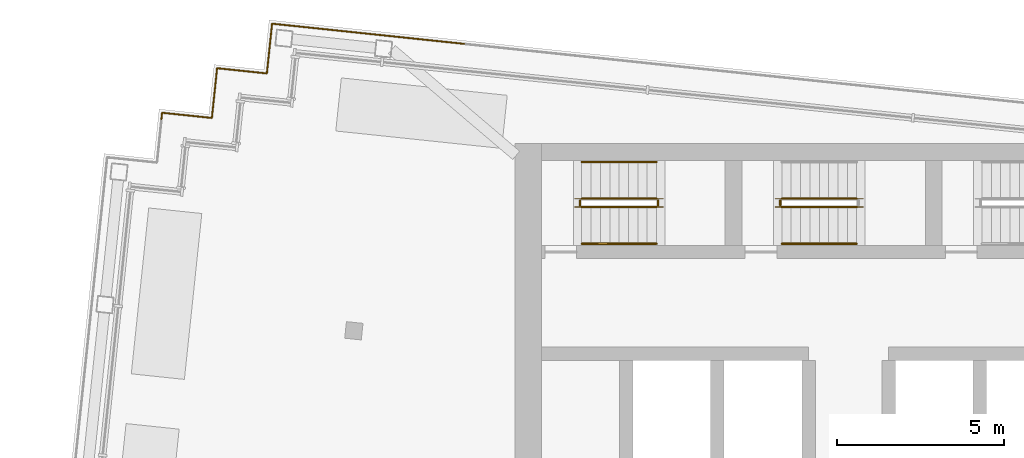
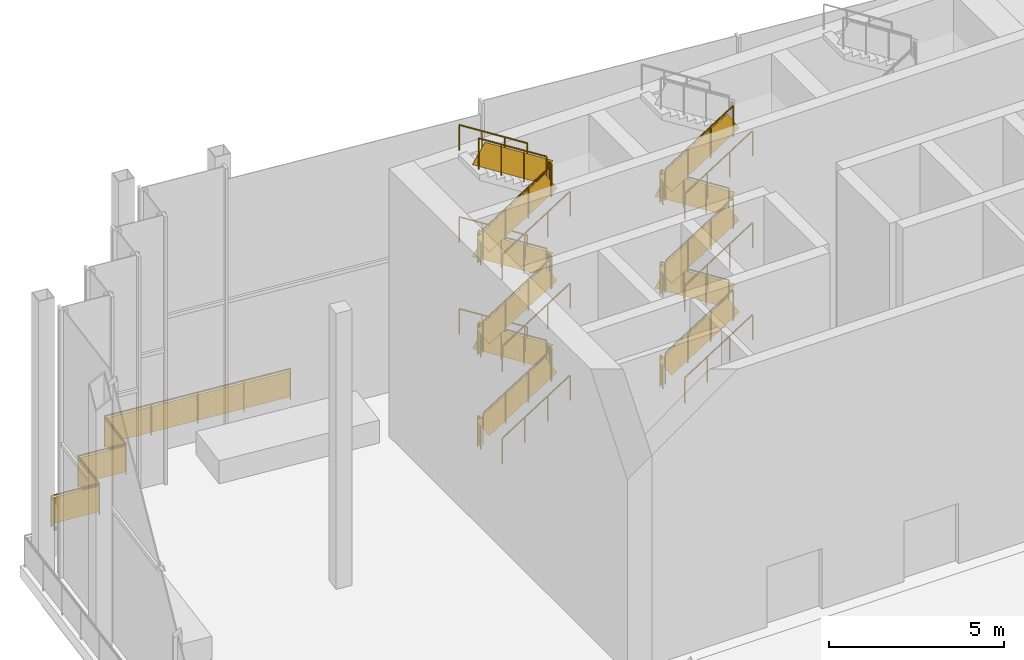
# One storey, part 12 of 14: 30 railings.
"""IFC4 building model written with IfcOpenShell, lengths in metres."""

from ifc_helpers import new_model, si_unit, direction, frame, origin, origin_2d, place, context, subcontext, project, spatial, rectangle, circle, extrude, material, type_object, element, save


model = new_model("IFC4")

# Units and contexts
model_context = context("Model", 3, precision=1e-05, world=origin(), true_north=direction((0.0, 1.0)))
body_context = subcontext(model_context, "Body", "Model", "MODEL_VIEW")
ifc_project = project(units=[si_unit("LENGTHUNIT", "METRE"), si_unit("AREAUNIT", "SQUARE_METRE"), si_unit("VOLUMEUNIT", "CUBIC_METRE"), si_unit("PLANEANGLEUNIT", "RADIAN"), si_unit("MASSUNIT", "GRAM", prefix="KILO")], contexts=[model_context])

# Site, building, storey
site_placement = place(None, origin())
site = spatial("IfcSite", under=ifc_project, at=site_placement, CompositionType="ELEMENT")
building_placement = place(site_placement, origin())
building = spatial("IfcBuilding", under=site, at=building_placement, Name="Vidyagriha Tower", CompositionType="ELEMENT")
storey_placement = place(building_placement, frame((0.0, 0.0, 281.89990234375)))
storey = spatial("IfcBuildingStorey", under=building, at=storey_placement, Name="L74", CompositionType="ELEMENT", Elevation=281.89990234375)

# Railings
ifc_material_1 = material(Name="Steel ASTM A500 Grade C black painted", Category="steel")
railing_type_1 = type_object("IfcRailingType", Name="Gallery guard 1100", PredefinedType="GUARDRAIL", material=ifc_material_1)
railing_1_placement = place(storey_placement, frame((-20.600341796875, 20.727783203125, 0.0)))
element("IfcRailing", 1, at=railing_1_placement, inside=storey, type_object=railing_type_1, Name="Gallery guard L74 9", PredefinedType="GUARDRAIL", context=body_context, shape_type="SweptSolid", body=[
    extrude(circle(Radius=0.02490234375, at=origin_2d()), frame((0.0, 0.0, 1.0751953125), z_axis=(0.10506634941, 0.994465214184, 0.0), x_axis=(-0.994465214184, 0.10506634941, 0.0)), (0.0, 0.0, 1.0), 0.199951171875),
    extrude(circle(Radius=0.02490234375, at=origin_2d()), frame((0.02099609375, 0.19873046875, 1.0751953125), z_axis=(0.994525057048, -0.104498377516, 0.0), x_axis=(0.104498377516, 0.994525057048, 0.0)), (0.0, 0.0, 1.0), 1.5),
    extrude(circle(Radius=0.02490234375, at=origin_2d()), frame((1.5126953125, 0.0419921875, 1.0751953125), z_axis=(0.104498377516, 0.994525057048, 0.0), x_axis=(-0.994525057048, 0.104498377516, 0.0)), (0.0, 0.0, 1.0), 1.5),
    extrude(circle(Radius=0.02490234375, at=origin_2d()), frame((1.66943359375, 1.53369140625, 1.0751953125), z_axis=(0.994525057048, -0.104498377516, 0.0), x_axis=(0.104498377516, 0.994525057048, 0.0)), (0.0, 0.0, 1.0), 1.5),
    extrude(circle(Radius=0.02490234375, at=origin_2d()), frame((3.1611328125, 1.376953125, 1.0751953125), z_axis=(0.104659366031, 0.994508128223, 0.0), x_axis=(-0.994508128223, 0.104659366031, 0.0)), (0.0, 0.0, 1.0), 1.5),
    extrude(circle(Radius=0.02490234375, at=origin_2d()), frame((3.318115234375, 2.86865234375, 1.0751953125), z_axis=(0.994523198252, -0.104516066418, 0.0), x_axis=(0.104516066418, 0.994523198252, 0.0)), (0.0, 0.0, 1.0), 5.800048828125),
    extrude(circle(Radius=0.02001953125, at=origin_2d()), origin(), (0.0, 0.0, 1.0), 1.050048828125),
    extrude(circle(Radius=0.02001953125, at=origin_2d()), frame((0.02099609375, 0.19873046875, 0.0)), (0.0, 0.0, 1.0), 1.050048828125),
    extrude(circle(Radius=0.02001953125, at=origin_2d()), frame((1.5126953125, 0.0419921875, 0.0)), (0.0, 0.0, 1.0), 1.050048828125),
    extrude(circle(Radius=0.02001953125, at=origin_2d()), frame((1.66943359375, 1.53369140625, 0.0)), (0.0, 0.0, 1.0), 1.050048828125),
    extrude(circle(Radius=0.02001953125, at=origin_2d()), frame((3.1611328125, 1.376953125, 0.0)), (0.0, 0.0, 1.0), 1.050048828125),
    extrude(circle(Radius=0.02001953125, at=origin_2d()), frame((3.318115234375, 2.86865234375, 0.0)), (0.0, 0.0, 1.0), 1.050048828125),
    extrude(circle(Radius=0.02001953125, at=origin_2d()), frame((4.76025390625, 2.717041015625, 0.0)), (0.0, 0.0, 1.0), 1.050048828125),
    extrude(circle(Radius=0.02001953125, at=origin_2d()), frame((6.2021484375, 2.5654296875, 0.0)), (0.0, 0.0, 1.0), 1.050048828125),
    extrude(circle(Radius=0.02001953125, at=origin_2d()), frame((7.644287109375, 2.4140625, 0.0)), (0.0, 0.0, 1.0), 1.050048828125),
    extrude(circle(Radius=0.02001953125, at=origin_2d()), frame((9.08642578125, 2.262451171875, 0.0)), (0.0, 0.0, 1.0), 1.050048828125),
    extrude(rectangle(XDim=0.010009765625, YDim=0.900146484375, at=origin_2d()), frame((0.0, 0.0, 0.550048828125), z_axis=(0.10506634941, 0.994465214184, 0.0), x_axis=(-0.994465214184, 0.10506634941, 0.0)), (0.0, 0.0, 1.0), 0.199951171875),
    extrude(rectangle(XDim=0.010009765625, YDim=0.900146484375, at=origin_2d()), frame((0.02099609375, 0.19873046875, 0.550048828125), z_axis=(0.994525057048, -0.104498377516, 0.0), x_axis=(0.104498377516, 0.994525057048, 0.0)), (0.0, 0.0, 1.0), 1.5),
    extrude(rectangle(XDim=0.010009765625, YDim=0.900146484375, at=origin_2d()), frame((1.5126953125, 0.0419921875, 0.550048828125), z_axis=(0.104498377516, 0.994525057048, 0.0), x_axis=(-0.994525057048, 0.104498377516, 0.0)), (0.0, 0.0, 1.0), 1.5),
    extrude(rectangle(XDim=0.010009765625, YDim=0.900146484375, at=origin_2d()), frame((1.66943359375, 1.53369140625, 0.550048828125), z_axis=(0.994525057048, -0.104498377516, 0.0), x_axis=(0.104498377516, 0.994525057048, 0.0)), (0.0, 0.0, 1.0), 1.5),
    extrude(rectangle(XDim=0.010009765625, YDim=0.900146484375, at=origin_2d()), frame((3.1611328125, 1.376953125, 0.550048828125), z_axis=(0.104659366031, 0.994508128223, 0.0), x_axis=(-0.994508128223, 0.104659366031, 0.0)), (0.0, 0.0, 1.0), 1.5),
    extrude(rectangle(XDim=0.010009765625, YDim=0.900146484375, at=origin_2d()), frame((3.318115234375, 2.86865234375, 0.550048828125), z_axis=(0.994523198252, -0.104516066418, 0.0), x_axis=(0.104516066418, 0.994523198252, 0.0)), (0.0, 0.0, 1.0), 5.800048828125),
])
ifc_material_2 = material(Name="Steel ASTM A500 Grade C", Category="steel")
railing_type_2 = type_object("IfcRailingType", Name="Stair guard 1100 mm, steel balustrade", PredefinedType="GUARDRAIL", material=ifc_material_2)
railing_2_placement = place(storey_placement, frame((-8.0, 18.10009765625, 0.177978515625)))
element("IfcRailing", 2, at=railing_2_placement, inside=storey, type_object=railing_type_2, Name="L74 ST1 stair guard 1", PredefinedType="GUARDRAIL", context=body_context, shape_type="SweptSolid", body=[
    extrude(circle(Radius=0.02392578125, at=origin_2d()), frame((0.0, 0.0, 1.076171875), z_axis=(0.8442293374, 0.0, 0.53598211339), x_axis=(0.0, 1.0, 0.0)), (0.0, 0.0, 1.0), 2.6533203125),
    extrude(circle(Radius=0.02099609375, at=origin_2d()), origin(), (0.0, 0.0, 1.0), 1.052001953125),
    extrude(circle(Radius=0.02099609375, at=origin_2d()), frame((0.74658203125, 0.0, 0.47412109375)), (0.0, 0.0, 1.0), 1.052001953125),
    extrude(circle(Radius=0.02099609375, at=origin_2d()), frame((1.493408203125, 0.0, 0.947998046875)), (0.0, 0.0, 1.0), 1.052001953125),
    extrude(circle(Radius=0.02099609375, at=origin_2d()), frame((2.239990234375, 0.0, 1.422119140625)), (0.0, 0.0, 1.0), 1.052001953125),
    extrude(rectangle(XDim=0.010009765625, YDim=0.761474609375, at=origin_2d()), frame((0.0, 0.0, 0.551025390625), z_axis=(0.8442293374, 0.0, 0.53598211339), x_axis=(0.0, 1.0, 0.0)), (0.0, 0.0, 1.0), 2.6533203125),
])
railing_3_placement = place(storey_placement, frame((-5.7099609375, 18.14990234375, 1.60009765625)))
element("IfcRailing", 3, at=railing_3_placement, inside=storey, type_object=railing_type_2, Name="L74 ST1 stair guard 2", PredefinedType="GUARDRAIL", context=body_context, shape_type="SweptSolid", body=[
    extrude(circle(Radius=0.02392578125, at=origin_2d()), frame((0.0, 0.0, 1.076171875), z_axis=(0.0, 1.0, 0.0), x_axis=(-1.0, 0.0, 0.0)), (0.0, 0.0, 1.0), 0.150146484375),
    extrude(circle(Radius=0.02099609375, at=origin_2d()), origin(), (0.0, 0.0, 1.0), 1.052001953125),
    extrude(circle(Radius=0.02099609375, at=origin_2d()), frame((0.0, 0.150146484375, 0.0)), (0.0, 0.0, 1.0), 1.052001953125),
    extrude(rectangle(XDim=0.010009765625, YDim=0.902099609375, at=origin_2d()), frame((0.0, 0.0, 0.551025390625), z_axis=(0.0, 1.0, 0.0), x_axis=(-1.0, 0.0, 0.0)), (0.0, 0.0, 1.0), 0.150146484375),
])
railing_4_placement = place(storey_placement, frame((-5.760009765625, 18.35009765625, 1.77783203125)))
element("IfcRailing", 4, at=railing_4_placement, inside=storey, type_object=railing_type_2, Name="L74 ST1 stair guard 3", PredefinedType="GUARDRAIL", context=body_context, shape_type="SweptSolid", body=[
    extrude(circle(Radius=0.02392578125, at=origin_2d()), frame((0.0, 0.0, 1.076171875), z_axis=(-0.84418770128, 0.0, 0.536047689118), x_axis=(0.0, -1.0, 0.0)), (0.0, 0.0, 1.0), 2.6533203125),
    extrude(circle(Radius=0.02099609375, at=origin_2d()), origin(), (0.0, 0.0, 1.0), 1.052001953125),
    extrude(circle(Radius=0.02099609375, at=origin_2d()), frame((-0.74658203125, 0.0, 0.47412109375)), (0.0, 0.0, 1.0), 1.052001953125),
    extrude(circle(Radius=0.02099609375, at=origin_2d()), frame((-1.493408203125, 0.0, 0.9482421875)), (0.0, 0.0, 1.0), 1.052001953125),
    extrude(circle(Radius=0.02099609375, at=origin_2d()), frame((-2.239990234375, 0.0, 1.42236328125)), (0.0, 0.0, 1.0), 1.052001953125),
    extrude(rectangle(XDim=0.010009765625, YDim=0.761474609375, at=origin_2d()), frame((0.0, 0.0, 0.551025390625), z_axis=(-0.84418770128, 0.0, 0.536047689118), x_axis=(0.0, -1.0, 0.0)), (0.0, 0.0, 1.0), 2.6533203125),
])
railing_5_placement = place(storey_placement, frame((-8.050048828125, 18.14990234375, 3.2001953125)))
element("IfcRailing", 5, at=railing_5_placement, inside=storey, type_object=railing_type_2, Name="L74 ST1 stair guard 4", PredefinedType="GUARDRAIL", context=body_context, shape_type="SweptSolid", body=[
    extrude(circle(Radius=0.02392578125, at=origin_2d()), frame((0.0, 0.0, 1.076171875), z_axis=(0.0, 1.0, 0.0), x_axis=(-1.0, 0.0, 0.0)), (0.0, 0.0, 1.0), 0.150146484375),
    extrude(circle(Radius=0.02099609375, at=origin_2d()), origin(), (0.0, 0.0, 1.0), 1.052001953125),
    extrude(circle(Radius=0.02099609375, at=origin_2d()), frame((0.0, 0.150146484375, 0.0)), (0.0, 0.0, 1.0), 1.052001953125),
    extrude(rectangle(XDim=0.010009765625, YDim=0.902099609375, at=origin_2d()), frame((0.0, 0.0, 0.551025390625), z_axis=(0.0, 1.0, 0.0), x_axis=(-1.0, 0.0, 0.0)), (0.0, 0.0, 1.0), 0.150146484375),
])
railing_6_placement = place(storey_placement, frame((-8.0, 18.10009765625, 3.3779296875)))
element("IfcRailing", 6, at=railing_6_placement, inside=storey, type_object=railing_type_2, Name="L74 ST1 stair guard 5", PredefinedType="GUARDRAIL", context=body_context, shape_type="SweptSolid", body=[
    extrude(circle(Radius=0.02392578125, at=origin_2d()), frame((0.0, 0.0, 1.076171875), z_axis=(0.8442293374, 0.0, 0.53598211339), x_axis=(0.0, 1.0, 0.0)), (0.0, 0.0, 1.0), 2.6533203125),
    extrude(circle(Radius=0.02099609375, at=origin_2d()), origin(), (0.0, 0.0, 1.0), 1.052001953125),
    extrude(circle(Radius=0.02099609375, at=origin_2d()), frame((0.74658203125, 0.0, 0.47412109375)), (0.0, 0.0, 1.0), 1.052001953125),
    extrude(circle(Radius=0.02099609375, at=origin_2d()), frame((1.493408203125, 0.0, 0.947998046875)), (0.0, 0.0, 1.0), 1.052001953125),
    extrude(circle(Radius=0.02099609375, at=origin_2d()), frame((2.239990234375, 0.0, 1.422119140625)), (0.0, 0.0, 1.0), 1.052001953125),
    extrude(rectangle(XDim=0.010009765625, YDim=0.761474609375, at=origin_2d()), frame((0.0, 0.0, 0.551025390625), z_axis=(0.8442293374, 0.0, 0.53598211339), x_axis=(0.0, 1.0, 0.0)), (0.0, 0.0, 1.0), 2.6533203125),
])
railing_7_placement = place(storey_placement, frame((-5.7099609375, 18.14990234375, 4.800048828125)))
element("IfcRailing", 7, at=railing_7_placement, inside=storey, type_object=railing_type_2, Name="L74 ST1 stair guard 6", PredefinedType="GUARDRAIL", context=body_context, shape_type="SweptSolid", body=[
    extrude(circle(Radius=0.02392578125, at=origin_2d()), frame((0.0, 0.0, 1.076171875), z_axis=(0.0, 1.0, 0.0), x_axis=(-1.0, 0.0, 0.0)), (0.0, 0.0, 1.0), 0.150146484375),
    extrude(circle(Radius=0.02099609375, at=origin_2d()), origin(), (0.0, 0.0, 1.0), 1.052001953125),
    extrude(circle(Radius=0.02099609375, at=origin_2d()), frame((0.0, 0.150146484375, 0.0)), (0.0, 0.0, 1.0), 1.052001953125),
    extrude(rectangle(XDim=0.010009765625, YDim=0.902099609375, at=origin_2d()), frame((0.0, 0.0, 0.551025390625), z_axis=(0.0, 1.0, 0.0), x_axis=(-1.0, 0.0, 0.0)), (0.0, 0.0, 1.0), 0.150146484375),
])
railing_8_placement = place(storey_placement, frame((-5.760009765625, 18.35009765625, 4.977783203125)))
element("IfcRailing", 8, at=railing_8_placement, inside=storey, type_object=railing_type_2, Name="L74 ST1 stair guard 7", PredefinedType="GUARDRAIL", context=body_context, shape_type="SweptSolid", body=[
    extrude(circle(Radius=0.02392578125, at=origin_2d()), frame((0.0, 0.0, 1.076171875), z_axis=(-0.84418770128, 0.0, 0.536047689118), x_axis=(0.0, -1.0, 0.0)), (0.0, 0.0, 1.0), 2.6533203125),
    extrude(circle(Radius=0.02099609375, at=origin_2d()), origin(), (0.0, 0.0, 1.0), 1.052001953125),
    extrude(circle(Radius=0.02099609375, at=origin_2d()), frame((-0.74658203125, 0.0, 0.47412109375)), (0.0, 0.0, 1.0), 1.052001953125),
    extrude(circle(Radius=0.02099609375, at=origin_2d()), frame((-1.493408203125, 0.0, 0.9482421875)), (0.0, 0.0, 1.0), 1.052001953125),
    extrude(circle(Radius=0.02099609375, at=origin_2d()), frame((-2.239990234375, 0.0, 1.42236328125)), (0.0, 0.0, 1.0), 1.052001953125),
    extrude(rectangle(XDim=0.010009765625, YDim=0.761474609375, at=origin_2d()), frame((0.0, 0.0, 0.551025390625), z_axis=(-0.84418770128, 0.0, 0.536047689118), x_axis=(0.0, -1.0, 0.0)), (0.0, 0.0, 1.0), 2.6533203125),
])
railing_9_placement = place(storey_placement, frame((-8.050048828125, 18.14990234375, 6.400146484375)))
element("IfcRailing", 9, at=railing_9_placement, inside=storey, type_object=railing_type_2, Name="L74 ST1 stair guard 8", PredefinedType="GUARDRAIL", context=body_context, shape_type="SweptSolid", body=[
    extrude(circle(Radius=0.02392578125, at=origin_2d()), frame((0.0, 0.0, 1.076171875), z_axis=(0.0, 1.0, 0.0), x_axis=(-1.0, 0.0, 0.0)), (0.0, 0.0, 1.0), 0.150146484375),
    extrude(circle(Radius=0.02099609375, at=origin_2d()), origin(), (0.0, 0.0, 1.0), 1.052001953125),
    extrude(circle(Radius=0.02099609375, at=origin_2d()), frame((0.0, 0.150146484375, 0.0)), (0.0, 0.0, 1.0), 1.052001953125),
    extrude(rectangle(XDim=0.010009765625, YDim=0.902099609375, at=origin_2d()), frame((0.0, 0.0, 0.551025390625), z_axis=(0.0, 1.0, 0.0), x_axis=(-1.0, 0.0, 0.0)), (0.0, 0.0, 1.0), 0.150146484375),
])
railing_10_placement = place(storey_placement, frame((-8.0, 18.10009765625, 6.577880859375)))
element("IfcRailing", 10, at=railing_10_placement, inside=storey, type_object=railing_type_2, Name="L74 ST1 stair guard 9", PredefinedType="GUARDRAIL", context=body_context, shape_type="SweptSolid", body=[
    extrude(circle(Radius=0.02392578125, at=origin_2d()), frame((0.0, 0.0, 1.076171875), z_axis=(0.8442293374, 0.0, 0.53598211339), x_axis=(0.0, 1.0, 0.0)), (0.0, 0.0, 1.0), 2.6533203125),
    extrude(circle(Radius=0.02099609375, at=origin_2d()), origin(), (0.0, 0.0, 1.0), 1.052001953125),
    extrude(circle(Radius=0.02099609375, at=origin_2d()), frame((0.74658203125, 0.0, 0.47412109375)), (0.0, 0.0, 1.0), 1.052001953125),
    extrude(circle(Radius=0.02099609375, at=origin_2d()), frame((1.493408203125, 0.0, 0.947998046875)), (0.0, 0.0, 1.0), 1.052001953125),
    extrude(circle(Radius=0.02099609375, at=origin_2d()), frame((2.239990234375, 0.0, 1.422119140625)), (0.0, 0.0, 1.0), 1.052001953125),
    extrude(rectangle(XDim=0.010009765625, YDim=0.761474609375, at=origin_2d()), frame((0.0, 0.0, 0.551025390625), z_axis=(0.8442293374, 0.0, 0.53598211339), x_axis=(0.0, 1.0, 0.0)), (0.0, 0.0, 1.0), 2.6533203125),
])
railing_11_placement = place(storey_placement, frame((-5.7099609375, 18.14990234375, 8.0)))
element("IfcRailing", 11, at=railing_11_placement, inside=storey, type_object=railing_type_2, Name="L74 ST1 stair guard 10", PredefinedType="GUARDRAIL", context=body_context, shape_type="SweptSolid", body=[
    extrude(circle(Radius=0.02392578125, at=origin_2d()), frame((0.0, 0.0, 1.076171875), z_axis=(0.0, 1.0, 0.0), x_axis=(-1.0, 0.0, 0.0)), (0.0, 0.0, 1.0), 0.150146484375),
    extrude(circle(Radius=0.02099609375, at=origin_2d()), origin(), (0.0, 0.0, 1.0), 1.052001953125),
    extrude(circle(Radius=0.02099609375, at=origin_2d()), frame((0.0, 0.150146484375, 0.0)), (0.0, 0.0, 1.0), 1.052001953125),
    extrude(rectangle(XDim=0.010009765625, YDim=0.902099609375, at=origin_2d()), frame((0.0, 0.0, 0.551025390625), z_axis=(0.0, 1.0, 0.0), x_axis=(-1.0, 0.0, 0.0)), (0.0, 0.0, 1.0), 0.150146484375),
])
railing_12_placement = place(storey_placement, frame((-5.760009765625, 18.35009765625, 8.177978515625)))
element("IfcRailing", 12, at=railing_12_placement, inside=storey, type_object=railing_type_2, Name="L74 ST1 stair guard 11", PredefinedType="GUARDRAIL", context=body_context, shape_type="SweptSolid", body=[
    extrude(circle(Radius=0.02392578125, at=origin_2d()), frame((0.0, 0.0, 1.076171875), z_axis=(-0.8442293374, 0.0, 0.53598211339), x_axis=(0.0, -1.0, 0.0)), (0.0, 0.0, 1.0), 2.6533203125),
    extrude(circle(Radius=0.02099609375, at=origin_2d()), origin(), (0.0, 0.0, 1.0), 1.052001953125),
    extrude(circle(Radius=0.02099609375, at=origin_2d()), frame((-0.74658203125, 0.0, 0.47412109375)), (0.0, 0.0, 1.0), 1.052001953125),
    extrude(circle(Radius=0.02099609375, at=origin_2d()), frame((-1.493408203125, 0.0, 0.947998046875)), (0.0, 0.0, 1.0), 1.052001953125),
    extrude(circle(Radius=0.02099609375, at=origin_2d()), frame((-2.239990234375, 0.0, 1.422119140625)), (0.0, 0.0, 1.0), 1.052001953125),
    extrude(rectangle(XDim=0.010009765625, YDim=0.761474609375, at=origin_2d()), frame((0.0, 0.0, 0.551025390625), z_axis=(-0.8442293374, 0.0, 0.53598211339), x_axis=(0.0, -1.0, 0.0)), (0.0, 0.0, 1.0), 2.6533203125),
])
railing_13_placement = place(storey_placement, frame((-8.050048828125, 18.14990234375, 0.0)))
element("IfcRailing", 13, at=railing_13_placement, inside=storey, type_object=railing_type_2, Name="L74 ST1 stair guard 12", PredefinedType="GUARDRAIL", context=body_context, shape_type="SweptSolid", body=[
    extrude(circle(Radius=0.02392578125, at=origin_2d()), frame((0.0, 0.0, 1.076171875), z_axis=(0.0, 1.0, 0.0), x_axis=(-1.0, 0.0, 0.0)), (0.0, 0.0, 1.0), 0.150146484375),
    extrude(circle(Radius=0.02099609375, at=origin_2d()), origin(), (0.0, 0.0, 1.0), 1.052001953125),
    extrude(circle(Radius=0.02099609375, at=origin_2d()), frame((0.0, 0.150146484375, 0.0)), (0.0, 0.0, 1.0), 1.052001953125),
    extrude(rectangle(XDim=0.010009765625, YDim=0.902099609375, at=origin_2d()), frame((0.0, 0.0, 0.551025390625), z_axis=(0.0, 1.0, 0.0), x_axis=(-1.0, 0.0, 0.0)), (0.0, 0.0, 1.0), 0.150146484375),
])
railing_14_placement = place(storey_placement, frame((-2.0, 18.10009765625, 0.177978515625)))
element("IfcRailing", 14, at=railing_14_placement, inside=storey, type_object=railing_type_2, Name="L74 ST2 stair guard 1", PredefinedType="GUARDRAIL", context=body_context, shape_type="SweptSolid", body=[
    extrude(circle(Radius=0.02392578125, at=origin_2d()), frame((0.0, 0.0, 1.076171875), z_axis=(0.8442293374, 0.0, 0.53598211339), x_axis=(0.0, 1.0, 0.0)), (0.0, 0.0, 1.0), 2.6533203125),
    extrude(circle(Radius=0.02099609375, at=origin_2d()), origin(), (0.0, 0.0, 1.0), 1.052001953125),
    extrude(circle(Radius=0.02099609375, at=origin_2d()), frame((0.74658203125, 0.0, 0.47412109375)), (0.0, 0.0, 1.0), 1.052001953125),
    extrude(circle(Radius=0.02099609375, at=origin_2d()), frame((1.493408203125, 0.0, 0.947998046875)), (0.0, 0.0, 1.0), 1.052001953125),
    extrude(circle(Radius=0.02099609375, at=origin_2d()), frame((2.239990234375, 0.0, 1.422119140625)), (0.0, 0.0, 1.0), 1.052001953125),
    extrude(rectangle(XDim=0.010009765625, YDim=0.761474609375, at=origin_2d()), frame((0.0, 0.0, 0.551025390625), z_axis=(0.8442293374, 0.0, 0.53598211339), x_axis=(0.0, 1.0, 0.0)), (0.0, 0.0, 1.0), 2.6533203125),
])
railing_15_placement = place(storey_placement, frame((0.239990234375, 18.35009765625, 1.77783203125)))
element("IfcRailing", 15, at=railing_15_placement, inside=storey, type_object=railing_type_2, Name="L74 ST2 stair guard 3", PredefinedType="GUARDRAIL", context=body_context, shape_type="SweptSolid", body=[
    extrude(circle(Radius=0.02392578125, at=origin_2d()), frame((0.0, 0.0, 1.076171875), z_axis=(-0.84418770128, 0.0, 0.536047689118), x_axis=(0.0, -1.0, 0.0)), (0.0, 0.0, 1.0), 2.6533203125),
    extrude(circle(Radius=0.02099609375, at=origin_2d()), origin(), (0.0, 0.0, 1.0), 1.052001953125),
    extrude(circle(Radius=0.02099609375, at=origin_2d()), frame((-0.74658203125, 0.0, 0.47412109375)), (0.0, 0.0, 1.0), 1.052001953125),
    extrude(circle(Radius=0.02099609375, at=origin_2d()), frame((-1.493408203125, 0.0, 0.9482421875)), (0.0, 0.0, 1.0), 1.052001953125),
    extrude(circle(Radius=0.02099609375, at=origin_2d()), frame((-2.239990234375, 0.0, 1.42236328125)), (0.0, 0.0, 1.0), 1.052001953125),
    extrude(rectangle(XDim=0.010009765625, YDim=0.761474609375, at=origin_2d()), frame((0.0, 0.0, 0.551025390625), z_axis=(-0.84418770128, 0.0, 0.536047689118), x_axis=(0.0, -1.0, 0.0)), (0.0, 0.0, 1.0), 2.6533203125),
])
railing_16_placement = place(storey_placement, frame((-2.050048828125, 18.14990234375, 3.2001953125)))
element("IfcRailing", 16, at=railing_16_placement, inside=storey, type_object=railing_type_2, Name="L74 ST2 stair guard 4", PredefinedType="GUARDRAIL", context=body_context, shape_type="SweptSolid", body=[
    extrude(circle(Radius=0.02392578125, at=origin_2d()), frame((0.0, 0.0, 1.076171875), z_axis=(0.0, 1.0, 0.0), x_axis=(-1.0, 0.0, 0.0)), (0.0, 0.0, 1.0), 0.150146484375),
    extrude(circle(Radius=0.02099609375, at=origin_2d()), origin(), (0.0, 0.0, 1.0), 1.052001953125),
    extrude(circle(Radius=0.02099609375, at=origin_2d()), frame((0.0, 0.150146484375, 0.0)), (0.0, 0.0, 1.0), 1.052001953125),
    extrude(rectangle(XDim=0.010009765625, YDim=0.902099609375, at=origin_2d()), frame((0.0, 0.0, 0.551025390625), z_axis=(0.0, 1.0, 0.0), x_axis=(-1.0, 0.0, 0.0)), (0.0, 0.0, 1.0), 0.150146484375),
])
railing_17_placement = place(storey_placement, frame((-2.0, 18.10009765625, 3.3779296875)))
element("IfcRailing", 17, at=railing_17_placement, inside=storey, type_object=railing_type_2, Name="L74 ST2 stair guard 5", PredefinedType="GUARDRAIL", context=body_context, shape_type="SweptSolid", body=[
    extrude(circle(Radius=0.02392578125, at=origin_2d()), frame((0.0, 0.0, 1.076171875), z_axis=(0.8442293374, 0.0, 0.53598211339), x_axis=(0.0, 1.0, 0.0)), (0.0, 0.0, 1.0), 2.6533203125),
    extrude(circle(Radius=0.02099609375, at=origin_2d()), origin(), (0.0, 0.0, 1.0), 1.052001953125),
    extrude(circle(Radius=0.02099609375, at=origin_2d()), frame((0.74658203125, 0.0, 0.47412109375)), (0.0, 0.0, 1.0), 1.052001953125),
    extrude(circle(Radius=0.02099609375, at=origin_2d()), frame((1.493408203125, 0.0, 0.947998046875)), (0.0, 0.0, 1.0), 1.052001953125),
    extrude(circle(Radius=0.02099609375, at=origin_2d()), frame((2.239990234375, 0.0, 1.422119140625)), (0.0, 0.0, 1.0), 1.052001953125),
    extrude(rectangle(XDim=0.010009765625, YDim=0.761474609375, at=origin_2d()), frame((0.0, 0.0, 0.551025390625), z_axis=(0.8442293374, 0.0, 0.53598211339), x_axis=(0.0, 1.0, 0.0)), (0.0, 0.0, 1.0), 2.6533203125),
])
railing_18_placement = place(storey_placement, frame((0.239990234375, 18.35009765625, 4.977783203125)))
element("IfcRailing", 18, at=railing_18_placement, inside=storey, type_object=railing_type_2, Name="L74 ST2 stair guard 7", PredefinedType="GUARDRAIL", context=body_context, shape_type="SweptSolid", body=[
    extrude(circle(Radius=0.02392578125, at=origin_2d()), frame((0.0, 0.0, 1.076171875), z_axis=(-0.84418770128, 0.0, 0.536047689118), x_axis=(0.0, -1.0, 0.0)), (0.0, 0.0, 1.0), 2.6533203125),
    extrude(circle(Radius=0.02099609375, at=origin_2d()), origin(), (0.0, 0.0, 1.0), 1.052001953125),
    extrude(circle(Radius=0.02099609375, at=origin_2d()), frame((-0.74658203125, 0.0, 0.47412109375)), (0.0, 0.0, 1.0), 1.052001953125),
    extrude(circle(Radius=0.02099609375, at=origin_2d()), frame((-1.493408203125, 0.0, 0.9482421875)), (0.0, 0.0, 1.0), 1.052001953125),
    extrude(circle(Radius=0.02099609375, at=origin_2d()), frame((-2.239990234375, 0.0, 1.42236328125)), (0.0, 0.0, 1.0), 1.052001953125),
    extrude(rectangle(XDim=0.010009765625, YDim=0.761474609375, at=origin_2d()), frame((0.0, 0.0, 0.551025390625), z_axis=(-0.84418770128, 0.0, 0.536047689118), x_axis=(0.0, -1.0, 0.0)), (0.0, 0.0, 1.0), 2.6533203125),
])
railing_19_placement = place(storey_placement, frame((-2.050048828125, 18.14990234375, 6.400146484375)))
element("IfcRailing", 19, at=railing_19_placement, inside=storey, type_object=railing_type_2, Name="L74 ST2 stair guard 8", PredefinedType="GUARDRAIL", context=body_context, shape_type="SweptSolid", body=[
    extrude(circle(Radius=0.02392578125, at=origin_2d()), frame((0.0, 0.0, 1.076171875), z_axis=(0.0, 1.0, 0.0), x_axis=(-1.0, 0.0, 0.0)), (0.0, 0.0, 1.0), 0.150146484375),
    extrude(circle(Radius=0.02099609375, at=origin_2d()), origin(), (0.0, 0.0, 1.0), 1.052001953125),
    extrude(circle(Radius=0.02099609375, at=origin_2d()), frame((0.0, 0.150146484375, 0.0)), (0.0, 0.0, 1.0), 1.052001953125),
    extrude(rectangle(XDim=0.010009765625, YDim=0.902099609375, at=origin_2d()), frame((0.0, 0.0, 0.551025390625), z_axis=(0.0, 1.0, 0.0), x_axis=(-1.0, 0.0, 0.0)), (0.0, 0.0, 1.0), 0.150146484375),
])
railing_20_placement = place(storey_placement, frame((-2.0, 18.10009765625, 6.577880859375)))
element("IfcRailing", 20, at=railing_20_placement, inside=storey, type_object=railing_type_2, Name="L74 ST2 stair guard 9", PredefinedType="GUARDRAIL", context=body_context, shape_type="SweptSolid", body=[
    extrude(circle(Radius=0.02392578125, at=origin_2d()), frame((0.0, 0.0, 1.076171875), z_axis=(0.8442293374, 0.0, 0.53598211339), x_axis=(0.0, 1.0, 0.0)), (0.0, 0.0, 1.0), 2.6533203125),
    extrude(circle(Radius=0.02099609375, at=origin_2d()), origin(), (0.0, 0.0, 1.0), 1.052001953125),
    extrude(circle(Radius=0.02099609375, at=origin_2d()), frame((0.74658203125, 0.0, 0.47412109375)), (0.0, 0.0, 1.0), 1.052001953125),
    extrude(circle(Radius=0.02099609375, at=origin_2d()), frame((1.493408203125, 0.0, 0.947998046875)), (0.0, 0.0, 1.0), 1.052001953125),
    extrude(circle(Radius=0.02099609375, at=origin_2d()), frame((2.239990234375, 0.0, 1.422119140625)), (0.0, 0.0, 1.0), 1.052001953125),
    extrude(rectangle(XDim=0.010009765625, YDim=0.761474609375, at=origin_2d()), frame((0.0, 0.0, 0.551025390625), z_axis=(0.8442293374, 0.0, 0.53598211339), x_axis=(0.0, 1.0, 0.0)), (0.0, 0.0, 1.0), 2.6533203125),
])
railing_21_placement = place(storey_placement, frame((-2.050048828125, 18.14990234375, 0.0)))
element("IfcRailing", 21, at=railing_21_placement, inside=storey, type_object=railing_type_2, Name="L74 ST2 stair guard 12", PredefinedType="GUARDRAIL", context=body_context, shape_type="SweptSolid", body=[
    extrude(circle(Radius=0.02392578125, at=origin_2d()), frame((0.0, 0.0, 1.076171875), z_axis=(0.0, 1.0, 0.0), x_axis=(-1.0, 0.0, 0.0)), (0.0, 0.0, 1.0), 0.150146484375),
    extrude(circle(Radius=0.02099609375, at=origin_2d()), origin(), (0.0, 0.0, 1.0), 1.052001953125),
    extrude(circle(Radius=0.02099609375, at=origin_2d()), frame((0.0, 0.150146484375, 0.0)), (0.0, 0.0, 1.0), 1.052001953125),
    extrude(rectangle(XDim=0.010009765625, YDim=0.902099609375, at=origin_2d()), frame((0.0, 0.0, 0.551025390625), z_axis=(0.0, 1.0, 0.0), x_axis=(-1.0, 0.0, 0.0)), (0.0, 0.0, 1.0), 0.150146484375),
])
ifc_material_3 = material(Name="Steel ASTM A500 Grade C", Category="steel")
railing_type_3 = type_object("IfcRailingType", Name="Stair handrail 900 mm, steel", PredefinedType="HANDRAIL", material=ifc_material_3)
railing_22_placement = place(storey_placement, frame((-8.0, 17.0, 0.177978515625)))
element("IfcRailing", 22, at=railing_22_placement, inside=storey, type_object=railing_type_3, Name="L74 ST1 stair handrail 1", PredefinedType="HANDRAIL", context=body_context, shape_type="SweptSolid", body=[
    extrude(circle(Radius=0.02392578125, at=origin_2d()), frame((0.0, 0.0, 0.8759765625), z_axis=(0.8442293374, 0.0, 0.53598211339), x_axis=(0.0, 1.0, 0.0)), (0.0, 0.0, 1.0), 2.6533203125),
    extrude(circle(Radius=0.02099609375, at=origin_2d()), origin(), (0.0, 0.0, 1.0), 0.851806640625),
    extrude(circle(Radius=0.02099609375, at=origin_2d()), frame((0.74658203125, 0.0, 0.47412109375)), (0.0, 0.0, 1.0), 0.851806640625),
    extrude(circle(Radius=0.02099609375, at=origin_2d()), frame((1.493408203125, 0.0, 0.947998046875)), (0.0, 0.0, 1.0), 0.851806640625),
    extrude(circle(Radius=0.02099609375, at=origin_2d()), frame((2.239990234375, 0.0, 1.422119140625)), (0.0, 0.0, 1.0), 0.851806640625),
])
railing_23_placement = place(storey_placement, frame((-5.760009765625, 19.449951171875, 1.77783203125)))
element("IfcRailing", 23, at=railing_23_placement, inside=storey, type_object=railing_type_3, Name="L74 ST1 stair handrail 2", PredefinedType="HANDRAIL", context=body_context, shape_type="SweptSolid", body=[
    extrude(circle(Radius=0.02392578125, at=origin_2d()), frame((0.0, 0.0, 0.8759765625), z_axis=(-0.84418770128, 0.0, 0.536047689118), x_axis=(0.0, -1.0, 0.0)), (0.0, 0.0, 1.0), 2.6533203125),
    extrude(circle(Radius=0.02099609375, at=origin_2d()), origin(), (0.0, 0.0, 1.0), 0.851806640625),
    extrude(circle(Radius=0.02099609375, at=origin_2d()), frame((-0.74658203125, 0.0, 0.47412109375)), (0.0, 0.0, 1.0), 0.851806640625),
    extrude(circle(Radius=0.02099609375, at=origin_2d()), frame((-1.493408203125, 0.0, 0.9482421875)), (0.0, 0.0, 1.0), 0.851806640625),
    extrude(circle(Radius=0.02099609375, at=origin_2d()), frame((-2.239990234375, 0.0, 1.42236328125)), (0.0, 0.0, 1.0), 0.851806640625),
])
railing_24_placement = place(storey_placement, frame((-8.0, 17.0, 3.3779296875)))
element("IfcRailing", 24, at=railing_24_placement, inside=storey, type_object=railing_type_3, Name="L74 ST1 stair handrail 3", PredefinedType="HANDRAIL", context=body_context, shape_type="SweptSolid", body=[
    extrude(circle(Radius=0.02392578125, at=origin_2d()), frame((0.0, 0.0, 0.8759765625), z_axis=(0.8442293374, 0.0, 0.53598211339), x_axis=(0.0, 1.0, 0.0)), (0.0, 0.0, 1.0), 2.6533203125),
    extrude(circle(Radius=0.02099609375, at=origin_2d()), origin(), (0.0, 0.0, 1.0), 0.851806640625),
    extrude(circle(Radius=0.02099609375, at=origin_2d()), frame((0.74658203125, 0.0, 0.47412109375)), (0.0, 0.0, 1.0), 0.851806640625),
    extrude(circle(Radius=0.02099609375, at=origin_2d()), frame((1.493408203125, 0.0, 0.947998046875)), (0.0, 0.0, 1.0), 0.851806640625),
    extrude(circle(Radius=0.02099609375, at=origin_2d()), frame((2.239990234375, 0.0, 1.422119140625)), (0.0, 0.0, 1.0), 0.851806640625),
])
railing_25_placement = place(storey_placement, frame((-5.760009765625, 19.449951171875, 4.977783203125)))
element("IfcRailing", 25, at=railing_25_placement, inside=storey, type_object=railing_type_3, Name="L74 ST1 stair handrail 4", PredefinedType="HANDRAIL", context=body_context, shape_type="SweptSolid", body=[
    extrude(circle(Radius=0.02392578125, at=origin_2d()), frame((0.0, 0.0, 0.8759765625), z_axis=(-0.84418770128, 0.0, 0.536047689118), x_axis=(0.0, -1.0, 0.0)), (0.0, 0.0, 1.0), 2.6533203125),
    extrude(circle(Radius=0.02099609375, at=origin_2d()), origin(), (0.0, 0.0, 1.0), 0.851806640625),
    extrude(circle(Radius=0.02099609375, at=origin_2d()), frame((-0.74658203125, 0.0, 0.47412109375)), (0.0, 0.0, 1.0), 0.851806640625),
    extrude(circle(Radius=0.02099609375, at=origin_2d()), frame((-1.493408203125, 0.0, 0.9482421875)), (0.0, 0.0, 1.0), 0.851806640625),
    extrude(circle(Radius=0.02099609375, at=origin_2d()), frame((-2.239990234375, 0.0, 1.42236328125)), (0.0, 0.0, 1.0), 0.851806640625),
])
railing_26_placement = place(storey_placement, frame((-8.0, 17.0, 6.577880859375)))
element("IfcRailing", 26, at=railing_26_placement, inside=storey, type_object=railing_type_3, Name="L74 ST1 stair handrail 5", PredefinedType="HANDRAIL", context=body_context, shape_type="SweptSolid", body=[
    extrude(circle(Radius=0.02392578125, at=origin_2d()), frame((0.0, 0.0, 0.8759765625), z_axis=(0.8442293374, 0.0, 0.53598211339), x_axis=(0.0, 1.0, 0.0)), (0.0, 0.0, 1.0), 2.6533203125),
    extrude(circle(Radius=0.02099609375, at=origin_2d()), origin(), (0.0, 0.0, 1.0), 0.851806640625),
    extrude(circle(Radius=0.02099609375, at=origin_2d()), frame((0.74658203125, 0.0, 0.47412109375)), (0.0, 0.0, 1.0), 0.851806640625),
    extrude(circle(Radius=0.02099609375, at=origin_2d()), frame((1.493408203125, 0.0, 0.947998046875)), (0.0, 0.0, 1.0), 0.851806640625),
    extrude(circle(Radius=0.02099609375, at=origin_2d()), frame((2.239990234375, 0.0, 1.422119140625)), (0.0, 0.0, 1.0), 0.851806640625),
])
railing_27_placement = place(storey_placement, frame((-5.760009765625, 19.449951171875, 8.177978515625)))
element("IfcRailing", 27, at=railing_27_placement, inside=storey, type_object=railing_type_3, Name="L74 ST1 stair handrail 6", PredefinedType="HANDRAIL", context=body_context, shape_type="SweptSolid", body=[
    extrude(circle(Radius=0.02392578125, at=origin_2d()), frame((0.0, 0.0, 0.8759765625), z_axis=(-0.8442293374, 0.0, 0.53598211339), x_axis=(0.0, -1.0, 0.0)), (0.0, 0.0, 1.0), 2.6533203125),
    extrude(circle(Radius=0.02099609375, at=origin_2d()), origin(), (0.0, 0.0, 1.0), 0.851806640625),
    extrude(circle(Radius=0.02099609375, at=origin_2d()), frame((-0.74658203125, 0.0, 0.47412109375)), (0.0, 0.0, 1.0), 0.851806640625),
    extrude(circle(Radius=0.02099609375, at=origin_2d()), frame((-1.493408203125, 0.0, 0.947998046875)), (0.0, 0.0, 1.0), 0.851806640625),
    extrude(circle(Radius=0.02099609375, at=origin_2d()), frame((-2.239990234375, 0.0, 1.422119140625)), (0.0, 0.0, 1.0), 0.851806640625),
])
for number, where, name in (
    (28, (-2.0, 17.0, 0.177978515625), "L74 ST2 stair handrail 1"),
    (29, (-2.0, 17.0, 3.3779296875), "L74 ST2 stair handrail 3"),
    (30, (-2.0, 17.0, 6.577880859375), "L74 ST2 stair handrail 5"),
):
    element("IfcRailing", number, at=place(storey_placement, frame(where)), inside=storey, type_object=railing_type_3, Name=name, PredefinedType="HANDRAIL", context=body_context, shape_type="SweptSolid", body=[
        extrude(circle(Radius=0.02392578125, at=origin_2d()), frame((0.0, 0.0, 0.8759765625), z_axis=(0.8442293374, 0.0, 0.53598211339), x_axis=(0.0, 1.0, 0.0)), (0.0, 0.0, 1.0), 2.6533203125),
        extrude(circle(Radius=0.02099609375, at=origin_2d()), origin(), (0.0, 0.0, 1.0), 0.851806640625),
        extrude(circle(Radius=0.02099609375, at=origin_2d()), frame((0.74658203125, 0.0, 0.47412109375)), (0.0, 0.0, 1.0), 0.851806640625),
        extrude(circle(Radius=0.02099609375, at=origin_2d()), frame((1.493408203125, 0.0, 0.947998046875)), (0.0, 0.0, 1.0), 0.851806640625),
        extrude(circle(Radius=0.02099609375, at=origin_2d()), frame((2.239990234375, 0.0, 1.422119140625)), (0.0, 0.0, 1.0), 0.851806640625),
    ])

save(model, "model.ifc")
